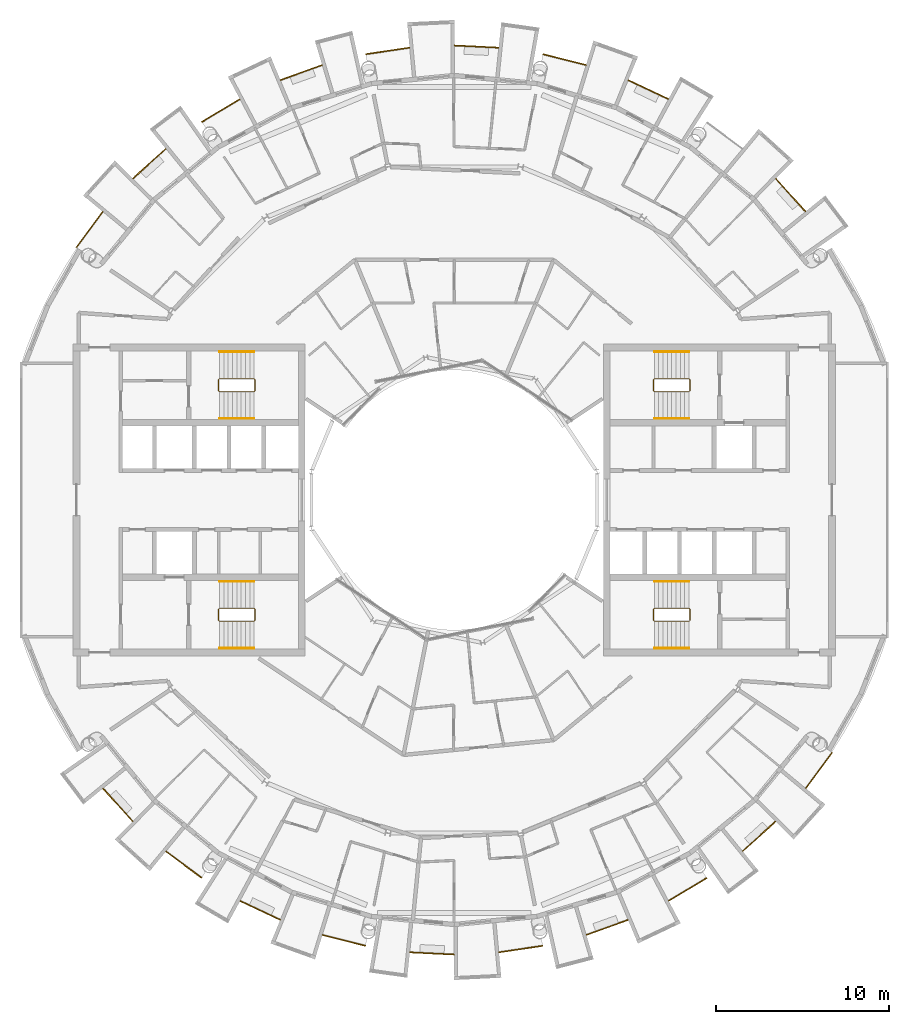
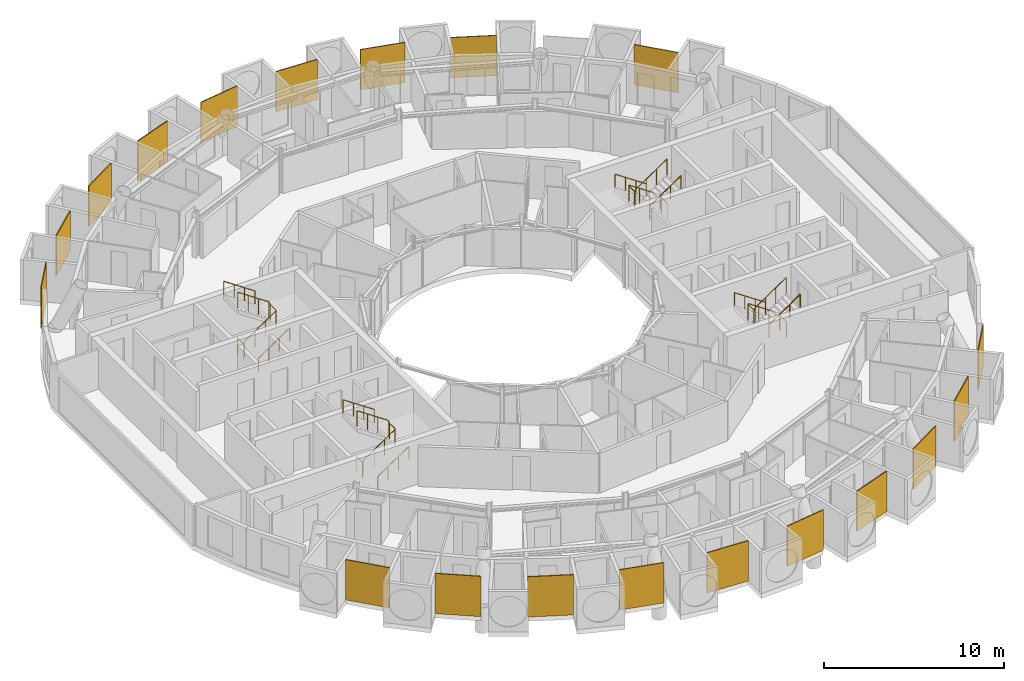
# One storey, part 26 of 27: 31 railings.
"""IFC4 building model written with IfcOpenShell, lengths in metres."""

from ifc_helpers import new_model, si_unit, direction, frame, origin, origin_2d, place, context, subcontext, project, spatial, polyline, circle, outline, extrude, material, layer, layer_set, type_object, element, save


model = new_model("IFC4")

# Units and contexts
model_context = context("Model", 3, precision=1e-05, world=origin(), true_north=direction((0.0, 1.0)))
body_context = subcontext(model_context, "Body", "Model", "MODEL_VIEW")
ifc_project = project(units=[si_unit("LENGTHUNIT", "METRE"), si_unit("AREAUNIT", "SQUARE_METRE"), si_unit("VOLUMEUNIT", "CUBIC_METRE"), si_unit("PLANEANGLEUNIT", "RADIAN"), si_unit("MASSUNIT", "GRAM", prefix="KILO")], contexts=[model_context])

# Site, building, storey
site_placement = place(None, origin())
site = spatial("IfcSite", under=ifc_project, at=site_placement, CompositionType="ELEMENT")
building_placement = place(site_placement, origin())
building = spatial("IfcBuilding", under=site, at=building_placement, Name="Maasbend Ring Residences", CompositionType="ELEMENT")
storey_placement = place(building_placement, frame((0.0, 0.0, 243.199951171875)))
storey = spatial("IfcBuildingStorey", under=building, at=storey_placement, Name="L70", CompositionType="ELEMENT", Elevation=243.199951171875)

# Railings
ifc_material_1 = material(Name="Pale anodised perforated aluminium", Category="aluminium")
ifc_layer = layer(ifc_material_1, 0.06005859375)
ifc_layer_set = layer_set([ifc_layer], Name="SCREEN-P")
railing_type_1 = type_object("IfcRailingType", Name="SCREEN-P", PredefinedType="GUARDRAIL", material=ifc_layer_set)
railing_1_placement = place(storey_placement, frame((0.0, 0.0, -0.030029296875)))
element("IfcRailing", 1, at=railing_1_placement, inside=storey, type_object=railing_type_1, Name="Perforated screen guard 1", PredefinedType="GUARDRAIL", context=body_context, shape_type="SweptSolid", body=[
    extrude(outline(polyline([(20.2529296875, 16.62109375), (18.52587890625, 18.52587890625), (18.571044921875, 18.56591796875), (20.297119140625, 16.660888671875), (20.2529296875, 16.62109375)])), origin(), (0.0, 0.0, 1.0), 2.72998046875),
])
railing_2_placement = place(storey_placement, frame((0.0, 0.0, -0.030029296875)))
element("IfcRailing", 2, at=railing_2_placement, inside=storey, type_object=railing_type_1, Name="Perforated screen guard 3", PredefinedType="GUARDRAIL", context=body_context, shape_type="SweptSolid", body=[
    extrude(outline(polyline([(12.35107421875, 23.10595703125), (10.02587890625, 24.2060546875), (10.052001953125, 24.260009765625), (12.3759765625, 23.160888671875), (12.35107421875, 23.10595703125)])), origin(), (0.0, 0.0, 1.0), 2.72998046875),
])
railing_3_placement = place(storey_placement, frame((0.0, 0.0, -0.030029296875)))
element("IfcRailing", 3, at=railing_3_placement, inside=storey, type_object=railing_type_1, Name="Perforated screen guard 4", PredefinedType="GUARDRAIL", context=body_context, shape_type="SweptSolid", body=[
    extrude(outline(polyline([(7.60498046875, 25.072021484375), (5.111083984375, 25.697021484375), (5.1259765625, 25.7548828125), (7.6201171875, 25.1298828125), (7.60498046875, 25.072021484375)])), origin(), (0.0, 0.0, 1.0), 2.72998046875),
])
railing_4_placement = place(storey_placement, frame((0.0, 0.0, -0.030029296875)))
element("IfcRailing", 4, at=railing_4_placement, inside=storey, type_object=railing_type_1, Name="Perforated screen guard 5", PredefinedType="GUARDRAIL", context=body_context, shape_type="SweptSolid", body=[
    extrude(outline(polyline([(2.568115234375, 26.073974609375), (0.0, 26.199951171875), (0.0029296875, 26.260009765625), (2.571044921875, 26.134033203125), (2.568115234375, 26.073974609375)])), origin(), (0.0, 0.0, 1.0), 2.72998046875),
])
railing_5_placement = place(storey_placement, frame((0.0, 0.0, -0.030029296875)))
element("IfcRailing", 5, at=railing_5_placement, inside=storey, type_object=railing_type_1, Name="Perforated screen guard 6", PredefinedType="GUARDRAIL", context=body_context, shape_type="SweptSolid", body=[
    extrude(outline(polyline([(-2.568115234375, 26.073974609375), (-5.111083984375, 25.697021484375), (-5.1201171875, 25.756103515625), (-2.576904296875, 26.133056640625), (-2.568115234375, 26.073974609375)])), origin(), (0.0, 0.0, 1.0), 2.72998046875),
])
railing_6_placement = place(storey_placement, frame((0.0, 0.0, -0.030029296875)))
element("IfcRailing", 6, at=railing_6_placement, inside=storey, type_object=railing_type_1, Name="Perforated screen guard 7", PredefinedType="GUARDRAIL", context=body_context, shape_type="SweptSolid", body=[
    extrude(outline(polyline([(-7.60498046875, 25.072021484375), (-10.02587890625, 24.2060546875), (-10.047119140625, 24.261962890625), (-7.6259765625, 25.1279296875), (-7.60498046875, 25.072021484375)])), origin(), (0.0, 0.0, 1.0), 2.72998046875),
])
railing_7_placement = place(storey_placement, frame((0.0, 0.0, -0.030029296875)))
element("IfcRailing", 7, at=railing_7_placement, inside=storey, type_object=railing_type_1, Name="Perforated screen guard 8", PredefinedType="GUARDRAIL", context=body_context, shape_type="SweptSolid", body=[
    extrude(outline(polyline([(-12.35107421875, 23.10595703125), (-14.555908203125, 21.784912109375), (-14.5869140625, 21.8359375), (-12.381103515625, 23.157958984375), (-12.35107421875, 23.10595703125)])), origin(), (0.0, 0.0, 1.0), 2.72998046875),
])
railing_8_placement = place(storey_placement, frame((0.0, 0.0, -0.030029296875)))
element("IfcRailing", 8, at=railing_8_placement, inside=storey, type_object=railing_type_1, Name="Perforated screen guard 9", PredefinedType="GUARDRAIL", context=body_context, shape_type="SweptSolid", body=[
    extrude(outline(polyline([(-16.62109375, 20.2529296875), (-18.52587890625, 18.52587890625), (-18.56591796875, 18.571044921875), (-16.660888671875, 20.297119140625), (-16.62109375, 20.2529296875)])), origin(), (0.0, 0.0, 1.0), 2.72998046875),
])
railing_9_placement = place(storey_placement, frame((0.0, 0.0, -0.030029296875)))
element("IfcRailing", 9, at=railing_9_placement, inside=storey, type_object=railing_type_1, Name="Perforated screen guard 10", PredefinedType="GUARDRAIL", context=body_context, shape_type="SweptSolid", body=[
    extrude(outline(polyline([(-20.2529296875, 16.62109375), (-21.784912109375, 14.555908203125), (-21.8330078125, 14.592041015625), (-20.301025390625, 16.656982421875), (-20.2529296875, 16.62109375)])), origin(), (0.0, 0.0, 1.0), 2.72998046875),
])
railing_10_placement = place(storey_placement, frame((0.0, 0.0, -0.030029296875)))
element("IfcRailing", 10, at=railing_10_placement, inside=storey, type_object=railing_type_1, Name="Perforated screen guard 1", PredefinedType="GUARDRAIL", context=body_context, shape_type="SweptSolid", body=[
    extrude(outline(polyline([(-20.2529296875, -16.62109375), (-18.52587890625, -18.52587890625), (-18.571044921875, -18.56591796875), (-20.297119140625, -16.660888671875), (-20.2529296875, -16.62109375)])), origin(), (0.0, 0.0, 1.0), 2.72998046875),
])
railing_11_placement = place(storey_placement, frame((0.0, 0.0, -0.030029296875)))
element("IfcRailing", 11, at=railing_11_placement, inside=storey, type_object=railing_type_1, Name="Perforated screen guard 2", PredefinedType="GUARDRAIL", context=body_context, shape_type="SweptSolid", body=[
    extrude(outline(polyline([(-16.62109375, -20.2529296875), (-14.555908203125, -21.784912109375), (-14.592041015625, -21.8330078125), (-16.656982421875, -20.301025390625), (-16.62109375, -20.2529296875)])), origin(), (0.0, 0.0, 1.0), 2.72998046875),
])
railing_12_placement = place(storey_placement, frame((0.0, 0.0, -0.030029296875)))
element("IfcRailing", 12, at=railing_12_placement, inside=storey, type_object=railing_type_1, Name="Perforated screen guard 3", PredefinedType="GUARDRAIL", context=body_context, shape_type="SweptSolid", body=[
    extrude(outline(polyline([(-12.35107421875, -23.10595703125), (-10.02587890625, -24.2060546875), (-10.052001953125, -24.260009765625), (-12.3759765625, -23.160888671875), (-12.35107421875, -23.10595703125)])), origin(), (0.0, 0.0, 1.0), 2.72998046875),
])
railing_13_placement = place(storey_placement, frame((0.0, 0.0, -0.030029296875)))
element("IfcRailing", 13, at=railing_13_placement, inside=storey, type_object=railing_type_1, Name="Perforated screen guard 4", PredefinedType="GUARDRAIL", context=body_context, shape_type="SweptSolid", body=[
    extrude(outline(polyline([(-7.60498046875, -25.072021484375), (-5.111083984375, -25.697021484375), (-5.1259765625, -25.7548828125), (-7.6201171875, -25.1298828125), (-7.60498046875, -25.072021484375)])), origin(), (0.0, 0.0, 1.0), 2.72998046875),
])
railing_14_placement = place(storey_placement, frame((0.0, 0.0, -0.030029296875)))
element("IfcRailing", 14, at=railing_14_placement, inside=storey, type_object=railing_type_1, Name="Perforated screen guard 5", PredefinedType="GUARDRAIL", context=body_context, shape_type="SweptSolid", body=[
    extrude(outline(polyline([(-2.568115234375, -26.073974609375), (0.0, -26.199951171875), (-0.0029296875, -26.260009765625), (-2.571044921875, -26.134033203125), (-2.568115234375, -26.073974609375)])), origin(), (0.0, 0.0, 1.0), 2.72998046875),
])
railing_15_placement = place(storey_placement, frame((0.0, 0.0, -0.030029296875)))
element("IfcRailing", 15, at=railing_15_placement, inside=storey, type_object=railing_type_1, Name="Perforated screen guard 6", PredefinedType="GUARDRAIL", context=body_context, shape_type="SweptSolid", body=[
    extrude(outline(polyline([(2.568115234375, -26.073974609375), (5.111083984375, -25.697021484375), (5.1201171875, -25.756103515625), (2.576904296875, -26.133056640625), (2.568115234375, -26.073974609375)])), origin(), (0.0, 0.0, 1.0), 2.72998046875),
])
railing_16_placement = place(storey_placement, frame((0.0, 0.0, -0.030029296875)))
element("IfcRailing", 16, at=railing_16_placement, inside=storey, type_object=railing_type_1, Name="Perforated screen guard 7", PredefinedType="GUARDRAIL", context=body_context, shape_type="SweptSolid", body=[
    extrude(outline(polyline([(7.60498046875, -25.072021484375), (10.02587890625, -24.2060546875), (10.047119140625, -24.261962890625), (7.6259765625, -25.1279296875), (7.60498046875, -25.072021484375)])), origin(), (0.0, 0.0, 1.0), 2.72998046875),
])
railing_17_placement = place(storey_placement, frame((0.0, 0.0, -0.030029296875)))
element("IfcRailing", 17, at=railing_17_placement, inside=storey, type_object=railing_type_1, Name="Perforated screen guard 8", PredefinedType="GUARDRAIL", context=body_context, shape_type="SweptSolid", body=[
    extrude(outline(polyline([(12.35107421875, -23.10595703125), (14.555908203125, -21.784912109375), (14.5869140625, -21.8359375), (12.381103515625, -23.157958984375), (12.35107421875, -23.10595703125)])), origin(), (0.0, 0.0, 1.0), 2.72998046875),
])
railing_18_placement = place(storey_placement, frame((0.0, 0.0, -0.030029296875)))
element("IfcRailing", 18, at=railing_18_placement, inside=storey, type_object=railing_type_1, Name="Perforated screen guard 9", PredefinedType="GUARDRAIL", context=body_context, shape_type="SweptSolid", body=[
    extrude(outline(polyline([(16.62109375, -20.2529296875), (18.52587890625, -18.52587890625), (18.56591796875, -18.571044921875), (16.660888671875, -20.297119140625), (16.62109375, -20.2529296875)])), origin(), (0.0, 0.0, 1.0), 2.72998046875),
])
railing_19_placement = place(storey_placement, frame((0.0, 0.0, -0.030029296875)))
element("IfcRailing", 19, at=railing_19_placement, inside=storey, type_object=railing_type_1, Name="Perforated screen guard 10", PredefinedType="GUARDRAIL", context=body_context, shape_type="SweptSolid", body=[
    extrude(outline(polyline([(20.2529296875, -16.62109375), (21.784912109375, -14.555908203125), (21.8330078125, -14.592041015625), (20.301025390625, -16.656982421875), (20.2529296875, -16.62109375)])), origin(), (0.0, 0.0, 1.0), 2.72998046875),
])
ifc_material_2 = material(Name="Stainless steel 316", Category="steel")
railing_type_2 = type_object("IfcRailingType", Name="STAIR GUARD 1100", PredefinedType="GUARDRAIL", material=ifc_material_2)
railing_20_placement = place(storey_placement, frame((13.60009765625, 6.300048828125, 0.0)))
element("IfcRailing", 20, at=railing_20_placement, inside=storey, type_object=railing_type_2, Name="L70 ST-E1 stair guard 1", PredefinedType="GUARDRAIL", context=body_context, shape_type="SweptSolid", body=[
    extrude(circle(Radius=0.02392578125, at=origin_2d()), frame((0.0, 0.0, 1.076171875), z_axis=(0.0, 1.0, 0.0), x_axis=(-1.0, 0.0, 0.0)), (0.0, 0.0, 1.0), 0.64990234375),
    extrude(circle(Radius=0.02392578125, at=origin_2d()), frame((0.0, 0.64990234375, 1.076171875), z_axis=(-0.272562526181, 0.272562526181, 0.92272386912), x_axis=(-0.707106781187, -0.707106781187, 0.0)), (0.0, 0.0, 1.0), 0.18359375),
    extrude(circle(Radius=0.02392578125, at=origin_2d()), frame((-0.050048828125, 0.699951171875, 1.24560546875), z_axis=(-0.827750655447, 0.0, 0.561096116906), x_axis=(0.0, -1.0, 0.0)), (0.0, 0.0, 1.0), 2.416259765625),
    extrude(circle(Radius=0.02392578125, at=origin_2d()), frame((-2.050048828125, 0.699951171875, 2.60107421875), z_axis=(-0.707106781187, -0.707106781187, 0.0), x_axis=(0.707106781187, -0.707106781187, 0.0)), (0.0, 0.0, 1.0), 0.07080078125),
    extrude(circle(Radius=0.02392578125, at=origin_2d()), frame((-2.10009765625, 0.64990234375, 2.60107421875), z_axis=(0.0, -1.0, 0.0), x_axis=(1.0, 0.0, 0.0)), (0.0, 0.0, 1.0), 0.64990234375),
    extrude(circle(Radius=0.02392578125, at=origin_2d()), frame((-2.10009765625, 0.0, 2.60107421875), z_axis=(0.272562526181, -0.272562526181, 0.92272386912), x_axis=(0.707106781187, 0.707106781187, 0.0)), (0.0, 0.0, 1.0), 0.18359375),
    extrude(circle(Radius=0.02392578125, at=origin_2d()), frame((-2.050048828125, -0.050048828125, 2.7705078125), z_axis=(0.827797584762, 0.0, 0.561026878735), x_axis=(0.0, 1.0, 0.0)), (0.0, 0.0, 1.0), 2.416015625),
    extrude(circle(Radius=0.02099609375, at=origin_2d()), origin(), (0.0, 0.0, 1.0), 1.052001953125),
    extrude(circle(Radius=0.02099609375, at=origin_2d()), frame((0.0, 0.64990234375, 0.0)), (0.0, 0.0, 1.0), 1.052001953125),
    extrude(circle(Radius=0.02099609375, at=origin_2d()), frame((-0.050048828125, 0.699951171875, 0.16943359375)), (0.0, 0.0, 1.0), 1.052001953125),
    extrude(circle(Radius=0.02099609375, at=origin_2d()), frame((-0.716796875, 0.699951171875, 0.621337890625)), (0.0, 0.0, 1.0), 1.052001953125),
    extrude(circle(Radius=0.02099609375, at=origin_2d()), frame((-1.38330078125, 0.699951171875, 1.0732421875)), (0.0, 0.0, 1.0), 1.052001953125),
    extrude(circle(Radius=0.02099609375, at=origin_2d()), frame((-2.050048828125, 0.699951171875, 1.525146484375)), (0.0, 0.0, 1.0), 1.052001953125),
    extrude(circle(Radius=0.02099609375, at=origin_2d()), frame((-2.10009765625, 0.64990234375, 1.525146484375)), (0.0, 0.0, 1.0), 1.052001953125),
    extrude(circle(Radius=0.02099609375, at=origin_2d()), frame((-2.10009765625, 0.0, 1.525146484375)), (0.0, 0.0, 1.0), 1.052001953125),
    extrude(circle(Radius=0.02099609375, at=origin_2d()), frame((-2.050048828125, -0.050048828125, 1.694580078125)), (0.0, 0.0, 1.0), 1.052001953125),
    extrude(circle(Radius=0.02099609375, at=origin_2d()), frame((-1.38330078125, -0.050048828125, 2.146484375)), (0.0, 0.0, 1.0), 1.052001953125),
    extrude(circle(Radius=0.02099609375, at=origin_2d()), frame((-0.716796875, -0.050048828125, 2.59814453125)), (0.0, 0.0, 1.0), 1.052001953125),
    extrude(circle(Radius=0.02099609375, at=origin_2d()), frame((-0.050048828125, -0.050048828125, 3.050048828125)), (0.0, 0.0, 1.0), 1.052001953125),
])
railing_21_placement = place(storey_placement, frame((13.60009765625, -6.949951171875, 0.0)))
element("IfcRailing", 21, at=railing_21_placement, inside=storey, type_object=railing_type_2, Name="L70 ST-E2 stair guard 1", PredefinedType="GUARDRAIL", context=body_context, shape_type="SweptSolid", body=[
    extrude(circle(Radius=0.02392578125, at=origin_2d()), frame((0.0, 0.0, 1.076171875), z_axis=(0.0, 1.0, 0.0), x_axis=(-1.0, 0.0, 0.0)), (0.0, 0.0, 1.0), 0.64990234375),
    extrude(circle(Radius=0.02392578125, at=origin_2d()), frame((0.0, 0.64990234375, 1.076171875), z_axis=(-0.272562526181, 0.272562526181, 0.92272386912), x_axis=(-0.707106781187, -0.707106781187, 0.0)), (0.0, 0.0, 1.0), 0.18359375),
    extrude(circle(Radius=0.02392578125, at=origin_2d()), frame((-0.050048828125, 0.699951171875, 1.24560546875), z_axis=(-0.827750655447, 0.0, 0.561096116906), x_axis=(0.0, -1.0, 0.0)), (0.0, 0.0, 1.0), 2.416259765625),
    extrude(circle(Radius=0.02392578125, at=origin_2d()), frame((-2.050048828125, 0.699951171875, 2.60107421875), z_axis=(-0.707106781187, -0.707106781187, 0.0), x_axis=(0.707106781187, -0.707106781187, 0.0)), (0.0, 0.0, 1.0), 0.07080078125),
    extrude(circle(Radius=0.02392578125, at=origin_2d()), frame((-2.10009765625, 0.64990234375, 2.60107421875), z_axis=(0.0, -1.0, 0.0), x_axis=(1.0, 0.0, 0.0)), (0.0, 0.0, 1.0), 0.64990234375),
    extrude(circle(Radius=0.02392578125, at=origin_2d()), frame((-2.10009765625, 0.0, 2.60107421875), z_axis=(0.272562526181, -0.272562526181, 0.92272386912), x_axis=(0.707106781187, 0.707106781187, 0.0)), (0.0, 0.0, 1.0), 0.18359375),
    extrude(circle(Radius=0.02392578125, at=origin_2d()), frame((-2.050048828125, -0.050048828125, 2.7705078125), z_axis=(0.827797584762, 0.0, 0.561026878735), x_axis=(0.0, 1.0, 0.0)), (0.0, 0.0, 1.0), 2.416015625),
    extrude(circle(Radius=0.02099609375, at=origin_2d()), origin(), (0.0, 0.0, 1.0), 1.052001953125),
    extrude(circle(Radius=0.02099609375, at=origin_2d()), frame((0.0, 0.64990234375, 0.0)), (0.0, 0.0, 1.0), 1.052001953125),
    extrude(circle(Radius=0.02099609375, at=origin_2d()), frame((-0.050048828125, 0.699951171875, 0.16943359375)), (0.0, 0.0, 1.0), 1.052001953125),
    extrude(circle(Radius=0.02099609375, at=origin_2d()), frame((-0.716796875, 0.699951171875, 0.621337890625)), (0.0, 0.0, 1.0), 1.052001953125),
    extrude(circle(Radius=0.02099609375, at=origin_2d()), frame((-1.38330078125, 0.699951171875, 1.0732421875)), (0.0, 0.0, 1.0), 1.052001953125),
    extrude(circle(Radius=0.02099609375, at=origin_2d()), frame((-2.050048828125, 0.699951171875, 1.525146484375)), (0.0, 0.0, 1.0), 1.052001953125),
    extrude(circle(Radius=0.02099609375, at=origin_2d()), frame((-2.10009765625, 0.64990234375, 1.525146484375)), (0.0, 0.0, 1.0), 1.052001953125),
    extrude(circle(Radius=0.02099609375, at=origin_2d()), frame((-2.10009765625, 0.0, 1.525146484375)), (0.0, 0.0, 1.0), 1.052001953125),
    extrude(circle(Radius=0.02099609375, at=origin_2d()), frame((-2.050048828125, -0.050048828125, 1.694580078125)), (0.0, 0.0, 1.0), 1.052001953125),
    extrude(circle(Radius=0.02099609375, at=origin_2d()), frame((-1.38330078125, -0.050048828125, 2.146484375)), (0.0, 0.0, 1.0), 1.052001953125),
    extrude(circle(Radius=0.02099609375, at=origin_2d()), frame((-0.716796875, -0.050048828125, 2.59814453125)), (0.0, 0.0, 1.0), 1.052001953125),
    extrude(circle(Radius=0.02099609375, at=origin_2d()), frame((-0.050048828125, -0.050048828125, 3.050048828125)), (0.0, 0.0, 1.0), 1.052001953125),
])
railing_22_placement = place(storey_placement, frame((-13.60009765625, -6.300048828125, 0.0)))
element("IfcRailing", 22, at=railing_22_placement, inside=storey, type_object=railing_type_2, Name="L70 ST-W1 stair guard 1", PredefinedType="GUARDRAIL", context=body_context, shape_type="SweptSolid", body=[
    extrude(circle(Radius=0.02392578125, at=origin_2d()), frame((0.0, 0.0, 1.076171875), z_axis=(0.0, -1.0, 0.0), x_axis=(1.0, 0.0, 0.0)), (0.0, 0.0, 1.0), 0.64990234375),
    extrude(circle(Radius=0.02392578125, at=origin_2d()), frame((0.0, -0.64990234375, 1.076171875), z_axis=(0.272562526181, -0.272562526181, 0.92272386912), x_axis=(0.707106781187, 0.707106781187, 0.0)), (0.0, 0.0, 1.0), 0.18359375),
    extrude(circle(Radius=0.02392578125, at=origin_2d()), frame((0.050048828125, -0.699951171875, 1.24560546875), z_axis=(0.827750655447, 0.0, 0.561096116906), x_axis=(0.0, 1.0, 0.0)), (0.0, 0.0, 1.0), 2.416259765625),
    extrude(circle(Radius=0.02392578125, at=origin_2d()), frame((2.050048828125, -0.699951171875, 2.60107421875), z_axis=(0.707106781187, 0.707106781187, 0.0), x_axis=(-0.707106781187, 0.707106781187, 0.0)), (0.0, 0.0, 1.0), 0.07080078125),
    extrude(circle(Radius=0.02392578125, at=origin_2d()), frame((2.10009765625, -0.64990234375, 2.60107421875), z_axis=(0.0, 1.0, 0.0), x_axis=(-1.0, 0.0, 0.0)), (0.0, 0.0, 1.0), 0.64990234375),
    extrude(circle(Radius=0.02392578125, at=origin_2d()), frame((2.10009765625, 0.0, 2.60107421875), z_axis=(-0.272562526181, 0.272562526181, 0.92272386912), x_axis=(-0.707106781187, -0.707106781187, 0.0)), (0.0, 0.0, 1.0), 0.18359375),
    extrude(circle(Radius=0.02392578125, at=origin_2d()), frame((2.050048828125, 0.050048828125, 2.7705078125), z_axis=(-0.827797584762, 0.0, 0.561026878735), x_axis=(0.0, -1.0, 0.0)), (0.0, 0.0, 1.0), 2.416015625),
    extrude(circle(Radius=0.02099609375, at=origin_2d()), origin(), (0.0, 0.0, 1.0), 1.052001953125),
    extrude(circle(Radius=0.02099609375, at=origin_2d()), frame((0.0, -0.64990234375, 0.0)), (0.0, 0.0, 1.0), 1.052001953125),
    extrude(circle(Radius=0.02099609375, at=origin_2d()), frame((0.050048828125, -0.699951171875, 0.16943359375)), (0.0, 0.0, 1.0), 1.052001953125),
    extrude(circle(Radius=0.02099609375, at=origin_2d()), frame((0.716796875, -0.699951171875, 0.621337890625)), (0.0, 0.0, 1.0), 1.052001953125),
    extrude(circle(Radius=0.02099609375, at=origin_2d()), frame((1.38330078125, -0.699951171875, 1.0732421875)), (0.0, 0.0, 1.0), 1.052001953125),
    extrude(circle(Radius=0.02099609375, at=origin_2d()), frame((2.050048828125, -0.699951171875, 1.525146484375)), (0.0, 0.0, 1.0), 1.052001953125),
    extrude(circle(Radius=0.02099609375, at=origin_2d()), frame((2.10009765625, -0.64990234375, 1.525146484375)), (0.0, 0.0, 1.0), 1.052001953125),
    extrude(circle(Radius=0.02099609375, at=origin_2d()), frame((2.10009765625, 0.0, 1.525146484375)), (0.0, 0.0, 1.0), 1.052001953125),
    extrude(circle(Radius=0.02099609375, at=origin_2d()), frame((2.050048828125, 0.050048828125, 1.694580078125)), (0.0, 0.0, 1.0), 1.052001953125),
    extrude(circle(Radius=0.02099609375, at=origin_2d()), frame((1.38330078125, 0.050048828125, 2.146484375)), (0.0, 0.0, 1.0), 1.052001953125),
    extrude(circle(Radius=0.02099609375, at=origin_2d()), frame((0.716796875, 0.050048828125, 2.59814453125)), (0.0, 0.0, 1.0), 1.052001953125),
    extrude(circle(Radius=0.02099609375, at=origin_2d()), frame((0.050048828125, 0.050048828125, 3.050048828125)), (0.0, 0.0, 1.0), 1.052001953125),
])
railing_23_placement = place(storey_placement, frame((-13.60009765625, 6.949951171875, 0.0)))
element("IfcRailing", 23, at=railing_23_placement, inside=storey, type_object=railing_type_2, Name="L70 ST-W2 stair guard 1", PredefinedType="GUARDRAIL", context=body_context, shape_type="SweptSolid", body=[
    extrude(circle(Radius=0.02392578125, at=origin_2d()), frame((0.0, 0.0, 1.076171875), z_axis=(0.0, -1.0, 0.0), x_axis=(1.0, 0.0, 0.0)), (0.0, 0.0, 1.0), 0.64990234375),
    extrude(circle(Radius=0.02392578125, at=origin_2d()), frame((0.0, -0.64990234375, 1.076171875), z_axis=(0.272562526181, -0.272562526181, 0.92272386912), x_axis=(0.707106781187, 0.707106781187, 0.0)), (0.0, 0.0, 1.0), 0.18359375),
    extrude(circle(Radius=0.02392578125, at=origin_2d()), frame((0.050048828125, -0.699951171875, 1.24560546875), z_axis=(0.827750655447, 0.0, 0.561096116906), x_axis=(0.0, 1.0, 0.0)), (0.0, 0.0, 1.0), 2.416259765625),
    extrude(circle(Radius=0.02392578125, at=origin_2d()), frame((2.050048828125, -0.699951171875, 2.60107421875), z_axis=(0.707106781187, 0.707106781187, 0.0), x_axis=(-0.707106781187, 0.707106781187, 0.0)), (0.0, 0.0, 1.0), 0.07080078125),
    extrude(circle(Radius=0.02392578125, at=origin_2d()), frame((2.10009765625, -0.64990234375, 2.60107421875), z_axis=(0.0, 1.0, 0.0), x_axis=(-1.0, 0.0, 0.0)), (0.0, 0.0, 1.0), 0.64990234375),
    extrude(circle(Radius=0.02392578125, at=origin_2d()), frame((2.10009765625, 0.0, 2.60107421875), z_axis=(-0.272562526181, 0.272562526181, 0.92272386912), x_axis=(-0.707106781187, -0.707106781187, 0.0)), (0.0, 0.0, 1.0), 0.18359375),
    extrude(circle(Radius=0.02392578125, at=origin_2d()), frame((2.050048828125, 0.050048828125, 2.7705078125), z_axis=(-0.827797584762, 0.0, 0.561026878735), x_axis=(0.0, -1.0, 0.0)), (0.0, 0.0, 1.0), 2.416015625),
    extrude(circle(Radius=0.02099609375, at=origin_2d()), origin(), (0.0, 0.0, 1.0), 1.052001953125),
    extrude(circle(Radius=0.02099609375, at=origin_2d()), frame((0.0, -0.64990234375, 0.0)), (0.0, 0.0, 1.0), 1.052001953125),
    extrude(circle(Radius=0.02099609375, at=origin_2d()), frame((0.050048828125, -0.699951171875, 0.16943359375)), (0.0, 0.0, 1.0), 1.052001953125),
    extrude(circle(Radius=0.02099609375, at=origin_2d()), frame((0.716796875, -0.699951171875, 0.621337890625)), (0.0, 0.0, 1.0), 1.052001953125),
    extrude(circle(Radius=0.02099609375, at=origin_2d()), frame((1.38330078125, -0.699951171875, 1.0732421875)), (0.0, 0.0, 1.0), 1.052001953125),
    extrude(circle(Radius=0.02099609375, at=origin_2d()), frame((2.050048828125, -0.699951171875, 1.525146484375)), (0.0, 0.0, 1.0), 1.052001953125),
    extrude(circle(Radius=0.02099609375, at=origin_2d()), frame((2.10009765625, -0.64990234375, 1.525146484375)), (0.0, 0.0, 1.0), 1.052001953125),
    extrude(circle(Radius=0.02099609375, at=origin_2d()), frame((2.10009765625, 0.0, 1.525146484375)), (0.0, 0.0, 1.0), 1.052001953125),
    extrude(circle(Radius=0.02099609375, at=origin_2d()), frame((2.050048828125, 0.050048828125, 1.694580078125)), (0.0, 0.0, 1.0), 1.052001953125),
    extrude(circle(Radius=0.02099609375, at=origin_2d()), frame((1.38330078125, 0.050048828125, 2.146484375)), (0.0, 0.0, 1.0), 1.052001953125),
    extrude(circle(Radius=0.02099609375, at=origin_2d()), frame((0.716796875, 0.050048828125, 2.59814453125)), (0.0, 0.0, 1.0), 1.052001953125),
    extrude(circle(Radius=0.02099609375, at=origin_2d()), frame((0.050048828125, 0.050048828125, 3.050048828125)), (0.0, 0.0, 1.0), 1.052001953125),
])
ifc_material_3 = material(Name="Stainless steel 316", Category="steel")
railing_type_3 = type_object("IfcRailingType", Name="STAIR HANDRAIL 900", PredefinedType="HANDRAIL", material=ifc_material_3)
railing_24_placement = place(storey_placement, frame((13.550048828125, 8.550048828125, 0.16943359375)))
element("IfcRailing", 24, at=railing_24_placement, inside=storey, type_object=railing_type_3, Name="L70 ST-E1 stair handrail 1", PredefinedType="HANDRAIL", context=body_context, shape_type="SweptSolid", body=[
    extrude(circle(Radius=0.02392578125, at=origin_2d()), frame((0.0, 0.0, 0.8759765625), z_axis=(-0.827750655447, 0.0, 0.561096116906), x_axis=(0.0, -1.0, 0.0)), (0.0, 0.0, 1.0), 2.416259765625),
    extrude(circle(Radius=0.02099609375, at=origin_2d()), origin(), (0.0, 0.0, 1.0), 0.851806640625),
    extrude(circle(Radius=0.02099609375, at=origin_2d()), frame((-0.666748046875, 0.0, 0.451904296875)), (0.0, 0.0, 1.0), 0.851806640625),
    extrude(circle(Radius=0.02099609375, at=origin_2d()), frame((-1.333251953125, 0.0, 0.90380859375)), (0.0, 0.0, 1.0), 0.851806640625),
    extrude(circle(Radius=0.02099609375, at=origin_2d()), frame((-2.0, 0.0, 1.355712890625)), (0.0, 0.0, 1.0), 0.851806640625),
])
railing_25_placement = place(storey_placement, frame((11.550048828125, 4.699951171875, 1.694580078125)))
element("IfcRailing", 25, at=railing_25_placement, inside=storey, type_object=railing_type_3, Name="L70 ST-E1 stair handrail 2", PredefinedType="HANDRAIL", context=body_context, shape_type="SweptSolid", body=[
    extrude(circle(Radius=0.02392578125, at=origin_2d()), frame((0.0, 0.0, 0.8759765625), z_axis=(0.827797584762, 0.0, 0.561026878735), x_axis=(0.0, 1.0, 0.0)), (0.0, 0.0, 1.0), 2.416015625),
    extrude(circle(Radius=0.02099609375, at=origin_2d()), origin(), (0.0, 0.0, 1.0), 0.851806640625),
    extrude(circle(Radius=0.02099609375, at=origin_2d()), frame((0.666748046875, 0.0, 0.451904296875)), (0.0, 0.0, 1.0), 0.851806640625),
    extrude(circle(Radius=0.02099609375, at=origin_2d()), frame((1.333251953125, 0.0, 0.903564453125)), (0.0, 0.0, 1.0), 0.851806640625),
    extrude(circle(Radius=0.02099609375, at=origin_2d()), frame((2.0, 0.0, 1.35546875)), (0.0, 0.0, 1.0), 0.851806640625),
])
railing_26_placement = place(storey_placement, frame((13.550048828125, -4.699951171875, 0.16943359375)))
element("IfcRailing", 26, at=railing_26_placement, inside=storey, type_object=railing_type_3, Name="L70 ST-E2 stair handrail 1", PredefinedType="HANDRAIL", context=body_context, shape_type="SweptSolid", body=[
    extrude(circle(Radius=0.02392578125, at=origin_2d()), frame((0.0, 0.0, 0.8759765625), z_axis=(-0.827750655447, 0.0, 0.561096116906), x_axis=(0.0, -1.0, 0.0)), (0.0, 0.0, 1.0), 2.416259765625),
    extrude(circle(Radius=0.02099609375, at=origin_2d()), origin(), (0.0, 0.0, 1.0), 0.851806640625),
    extrude(circle(Radius=0.02099609375, at=origin_2d()), frame((-0.666748046875, 0.0, 0.451904296875)), (0.0, 0.0, 1.0), 0.851806640625),
    extrude(circle(Radius=0.02099609375, at=origin_2d()), frame((-1.333251953125, 0.0, 0.90380859375)), (0.0, 0.0, 1.0), 0.851806640625),
    extrude(circle(Radius=0.02099609375, at=origin_2d()), frame((-2.0, 0.0, 1.355712890625)), (0.0, 0.0, 1.0), 0.851806640625),
])
railing_27_placement = place(storey_placement, frame((11.550048828125, -8.550048828125, 1.694580078125)))
element("IfcRailing", 27, at=railing_27_placement, inside=storey, type_object=railing_type_3, Name="L70 ST-E2 stair handrail 2", PredefinedType="HANDRAIL", context=body_context, shape_type="SweptSolid", body=[
    extrude(circle(Radius=0.02392578125, at=origin_2d()), frame((0.0, 0.0, 0.8759765625), z_axis=(0.827797584762, 0.0, 0.561026878735), x_axis=(0.0, 1.0, 0.0)), (0.0, 0.0, 1.0), 2.416015625),
    extrude(circle(Radius=0.02099609375, at=origin_2d()), origin(), (0.0, 0.0, 1.0), 0.851806640625),
    extrude(circle(Radius=0.02099609375, at=origin_2d()), frame((0.666748046875, 0.0, 0.451904296875)), (0.0, 0.0, 1.0), 0.851806640625),
    extrude(circle(Radius=0.02099609375, at=origin_2d()), frame((1.333251953125, 0.0, 0.903564453125)), (0.0, 0.0, 1.0), 0.851806640625),
    extrude(circle(Radius=0.02099609375, at=origin_2d()), frame((2.0, 0.0, 1.35546875)), (0.0, 0.0, 1.0), 0.851806640625),
])
railing_28_placement = place(storey_placement, frame((-13.550048828125, -8.550048828125, 0.16943359375)))
element("IfcRailing", 28, at=railing_28_placement, inside=storey, type_object=railing_type_3, Name="L70 ST-W1 stair handrail 1", PredefinedType="HANDRAIL", context=body_context, shape_type="SweptSolid", body=[
    extrude(circle(Radius=0.02392578125, at=origin_2d()), frame((0.0, 0.0, 0.8759765625), z_axis=(0.827750655447, 0.0, 0.561096116906), x_axis=(0.0, 1.0, 0.0)), (0.0, 0.0, 1.0), 2.416259765625),
    extrude(circle(Radius=0.02099609375, at=origin_2d()), origin(), (0.0, 0.0, 1.0), 0.851806640625),
    extrude(circle(Radius=0.02099609375, at=origin_2d()), frame((0.666748046875, 0.0, 0.451904296875)), (0.0, 0.0, 1.0), 0.851806640625),
    extrude(circle(Radius=0.02099609375, at=origin_2d()), frame((1.333251953125, 0.0, 0.90380859375)), (0.0, 0.0, 1.0), 0.851806640625),
    extrude(circle(Radius=0.02099609375, at=origin_2d()), frame((2.0, 0.0, 1.355712890625)), (0.0, 0.0, 1.0), 0.851806640625),
])
railing_29_placement = place(storey_placement, frame((-11.550048828125, -4.699951171875, 1.694580078125)))
element("IfcRailing", 29, at=railing_29_placement, inside=storey, type_object=railing_type_3, Name="L70 ST-W1 stair handrail 2", PredefinedType="HANDRAIL", context=body_context, shape_type="SweptSolid", body=[
    extrude(circle(Radius=0.02392578125, at=origin_2d()), frame((0.0, 0.0, 0.8759765625), z_axis=(-0.827797584762, 0.0, 0.561026878735), x_axis=(0.0, -1.0, 0.0)), (0.0, 0.0, 1.0), 2.416015625),
    extrude(circle(Radius=0.02099609375, at=origin_2d()), origin(), (0.0, 0.0, 1.0), 0.851806640625),
    extrude(circle(Radius=0.02099609375, at=origin_2d()), frame((-0.666748046875, 0.0, 0.451904296875)), (0.0, 0.0, 1.0), 0.851806640625),
    extrude(circle(Radius=0.02099609375, at=origin_2d()), frame((-1.333251953125, 0.0, 0.903564453125)), (0.0, 0.0, 1.0), 0.851806640625),
    extrude(circle(Radius=0.02099609375, at=origin_2d()), frame((-2.0, 0.0, 1.35546875)), (0.0, 0.0, 1.0), 0.851806640625),
])
railing_30_placement = place(storey_placement, frame((-13.550048828125, 4.699951171875, 0.16943359375)))
element("IfcRailing", 30, at=railing_30_placement, inside=storey, type_object=railing_type_3, Name="L70 ST-W2 stair handrail 1", PredefinedType="HANDRAIL", context=body_context, shape_type="SweptSolid", body=[
    extrude(circle(Radius=0.02392578125, at=origin_2d()), frame((0.0, 0.0, 0.8759765625), z_axis=(0.827750655447, 0.0, 0.561096116906), x_axis=(0.0, 1.0, 0.0)), (0.0, 0.0, 1.0), 2.416259765625),
    extrude(circle(Radius=0.02099609375, at=origin_2d()), origin(), (0.0, 0.0, 1.0), 0.851806640625),
    extrude(circle(Radius=0.02099609375, at=origin_2d()), frame((0.666748046875, 0.0, 0.451904296875)), (0.0, 0.0, 1.0), 0.851806640625),
    extrude(circle(Radius=0.02099609375, at=origin_2d()), frame((1.333251953125, 0.0, 0.90380859375)), (0.0, 0.0, 1.0), 0.851806640625),
    extrude(circle(Radius=0.02099609375, at=origin_2d()), frame((2.0, 0.0, 1.355712890625)), (0.0, 0.0, 1.0), 0.851806640625),
])
railing_31_placement = place(storey_placement, frame((-11.550048828125, 8.550048828125, 1.694580078125)))
element("IfcRailing", 31, at=railing_31_placement, inside=storey, type_object=railing_type_3, Name="L70 ST-W2 stair handrail 2", PredefinedType="HANDRAIL", context=body_context, shape_type="SweptSolid", body=[
    extrude(circle(Radius=0.02392578125, at=origin_2d()), frame((0.0, 0.0, 0.8759765625), z_axis=(-0.827797584762, 0.0, 0.561026878735), x_axis=(0.0, -1.0, 0.0)), (0.0, 0.0, 1.0), 2.416015625),
    extrude(circle(Radius=0.02099609375, at=origin_2d()), origin(), (0.0, 0.0, 1.0), 0.851806640625),
    extrude(circle(Radius=0.02099609375, at=origin_2d()), frame((-0.666748046875, 0.0, 0.451904296875)), (0.0, 0.0, 1.0), 0.851806640625),
    extrude(circle(Radius=0.02099609375, at=origin_2d()), frame((-1.333251953125, 0.0, 0.903564453125)), (0.0, 0.0, 1.0), 0.851806640625),
    extrude(circle(Radius=0.02099609375, at=origin_2d()), frame((-2.0, 0.0, 1.35546875)), (0.0, 0.0, 1.0), 0.851806640625),
])

save(model, "model.ifc")
